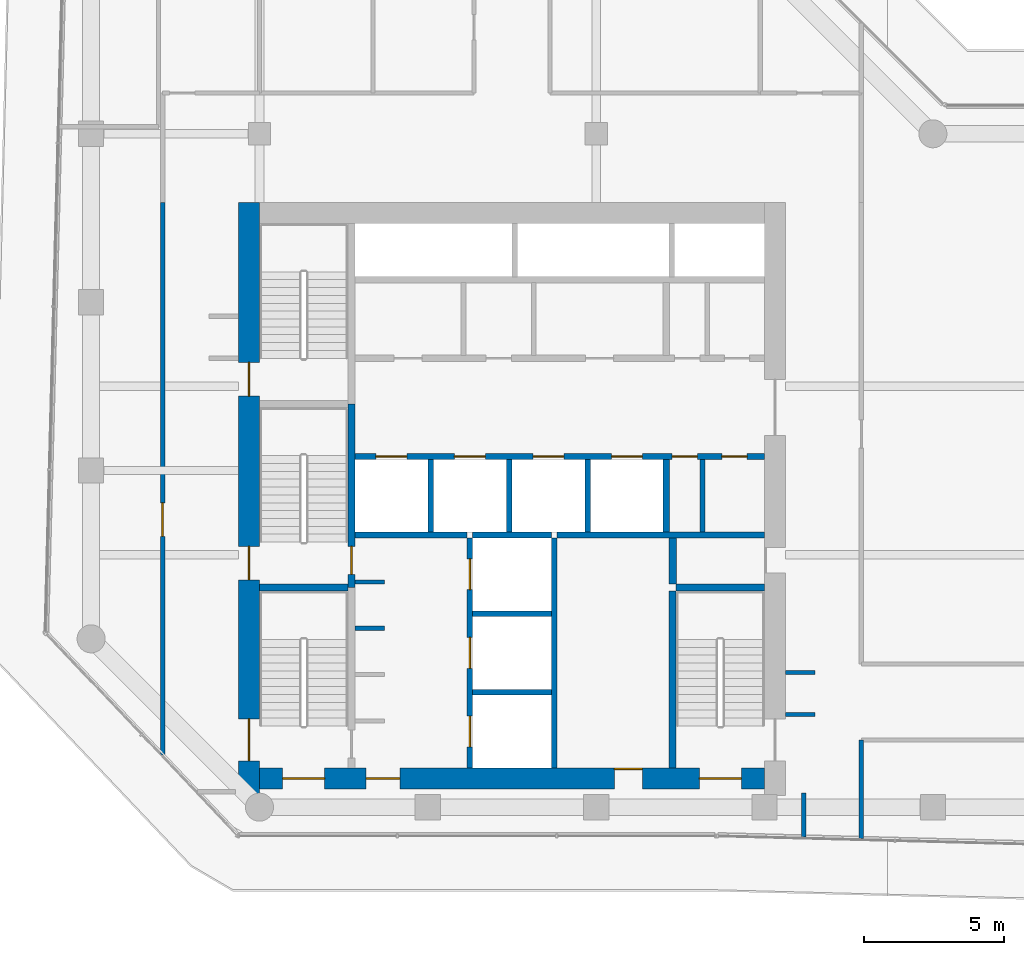
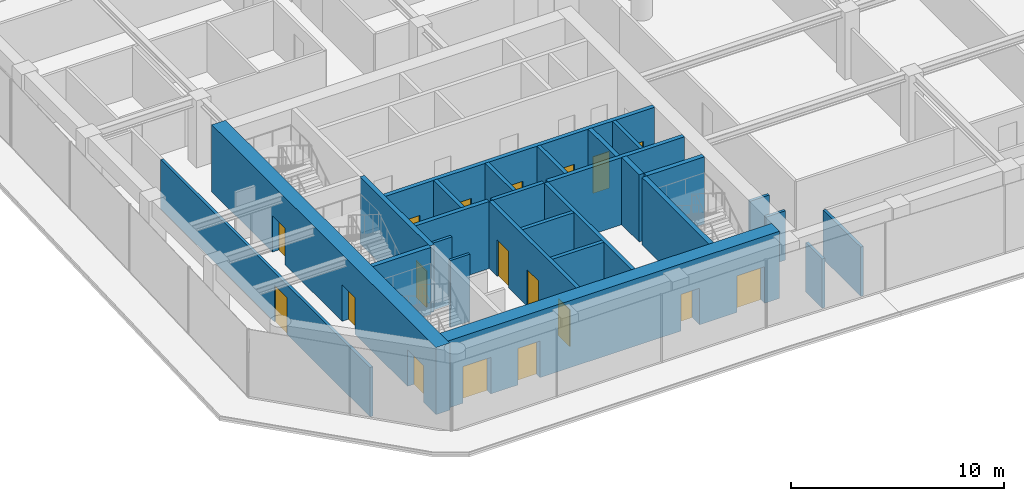
# One storey, part 18 of 23: 27 walls, 18 doors, 18 openings.
"""IFC4 building model written with IfcOpenShell, lengths in metres."""

from ifc_helpers import new_model, si_unit, direction, frame, frame_2d, origin, place, context, subcontext, project, spatial, rectangle, extrude, material, layer, layer_set, type_object, element, fill, save


model = new_model("IFC4")

# Units and contexts
model_context = context("Model", 3, precision=1e-05, world=origin(), true_north=direction((0.0, 1.0)))
body_context = subcontext(model_context, "Body", "Model", "MODEL_VIEW")
ifc_project = project(units=[si_unit("LENGTHUNIT", "METRE"), si_unit("AREAUNIT", "SQUARE_METRE"), si_unit("VOLUMEUNIT", "CUBIC_METRE"), si_unit("PLANEANGLEUNIT", "RADIAN"), si_unit("MASSUNIT", "GRAM", prefix="KILO")], contexts=[model_context])

# Site, building, storey
site_placement = place(None, origin())
site = spatial("IfcSite", under=ifc_project, at=site_placement, CompositionType="ELEMENT")
building_placement = place(site_placement, origin())
building = spatial("IfcBuilding", under=site, at=building_placement, Name="Welwitschia Terrace Campus", CompositionType="ELEMENT")
storey_placement = place(building_placement, frame((0.0, 0.0, 117.199951171875)))
storey = spatial("IfcBuildingStorey", under=building, at=storey_placement, Name="L26", CompositionType="ELEMENT", Elevation=117.199951171875)

# Walls
ifc_material_1 = material(Name="Concrete C32/40", Category="concrete")
ifc_layer_1 = layer(ifc_material_1, 0.175048828125)
ifc_layer_set_1 = layer_set([ifc_layer_1], Name="Concrete C32/40")
wall_type_1 = type_object("IfcWallType", Name="Core partition 175 Concrete C32/40", PredefinedType="PARTITIONING", material=ifc_layer_set_1)
wall_1_placement = place(storey_placement, frame((21.7900390625, 13.800048828125, 0.0), z_axis=(0.0, 0.0, 1.0), x_axis=(0.0, 1.0, 0.0)))
element("IfcWall", 1, at=wall_1_placement, inside=storey, type_object=wall_type_1, Name="Core partition", PredefinedType="PARTITIONING", context=body_context, shape_type="SweptSolid", body=[
    extrude(rectangle(XDim=2.599853515625, YDim=0.175048828125, at=frame_2d((1.2998046875, 0.0))), origin(), (0.0, 0.0, 1.0), 3.85009765625),
])
ifc_material_2 = material(Name="Concrete C32/40", Category="concrete")
ifc_layer_2 = layer(ifc_material_2, 0.22509765625)
ifc_layer_set_2 = layer_set([ifc_layer_2], Name="Concrete C32/40")
wall_type_2 = type_object("IfcWallType", Name="Core partition 225 Concrete C32/40", PredefinedType="PARTITIONING", material=ifc_layer_set_2)
wall_2_placement = place(storey_placement, frame((9.39990234375, 13.699951171875, 0.0), z_axis=(0.0, 0.0, 1.0), x_axis=(1.0, 0.0, 0.0)))
element("IfcWall", 2, at=wall_2_placement, inside=storey, type_object=wall_type_2, Name="Shaft wall", PredefinedType="PARTITIONING", context=body_context, shape_type="SweptSolid", body=[
    extrude(rectangle(XDim=4.0, YDim=0.22509765625, at=frame_2d((2.0, 0.0))), origin(), (0.0, 0.0, 1.0), 3.85009765625),
])
wall_3_placement = place(storey_placement, frame((16.60009765625, 13.699951171875, 0.0), z_axis=(0.0, 0.0, 1.0), x_axis=(1.0, 0.0, 0.0)))
element("IfcWall", 3, at=wall_3_placement, inside=storey, type_object=wall_type_2, Name="Shaft wall", PredefinedType="PARTITIONING", context=body_context, shape_type="SweptSolid", body=[
    extrude(rectangle(XDim=7.39990234375, YDim=0.22509765625, at=frame_2d((3.699951171875, 0.0))), origin(), (0.0, 0.0, 1.0), 3.85009765625),
])

# Wall, openings, doors
wall_4_placement = place(storey_placement, frame((9.39990234375, 16.5, 0.0), z_axis=(0.0, 0.0, 1.0), x_axis=(1.0, 0.0, 0.0)))
wall_4 = element("IfcWall", 4, at=wall_4_placement, inside=storey, type_object=wall_type_2, Name="Shaft wall", PredefinedType="PARTITIONING", context=body_context, shape_type="SweptSolid", body=[
    extrude(rectangle(XDim=14.60009765625, YDim=0.22509765625, at=frame_2d((7.300048828125, 0.0))), origin(), (0.0, 0.0, 1.0), 3.85009765625),
])
opening_1_placement = place(wall_4_placement, frame((0.75, 0.0, 0.0)))
opening_1 = element("IfcOpeningElement", 5, at=opening_1_placement, cuts=wall_4, Name="Opening LD", PredefinedType="OPENING", context=body_context, shape_type="SweptSolid", body=[
    extrude(rectangle(XDim=1.10009765625, YDim=2.10009765625, at=frame_2d((0.550048828125, 1.050048828125))), frame((0.0, 0.12255859375, 0.0), z_axis=(0.0, -1.0, 0.0), x_axis=(1.0, 0.0, 0.0)), (0.0, 0.0, 1.0), 0.2451171875),
])
opening_2_placement = place(wall_4_placement, frame((3.550048828125, 0.0, 0.0)))
opening_2 = element("IfcOpeningElement", 6, at=opening_2_placement, cuts=wall_4, Name="Opening LD", PredefinedType="OPENING", context=body_context, shape_type="SweptSolid", body=[
    extrude(rectangle(XDim=1.10009765625, YDim=2.10009765625, at=frame_2d((0.550048828125, 1.050048828125))), frame((0.0, 0.12255859375, 0.0), z_axis=(0.0, -1.0, 0.0), x_axis=(1.0, 0.0, 0.0)), (0.0, 0.0, 1.0), 0.2451171875),
])
opening_3_placement = place(wall_4_placement, frame((6.35009765625, 0.0, 0.0)))
opening_3 = element("IfcOpeningElement", 7, at=opening_3_placement, cuts=wall_4, Name="Opening LD", PredefinedType="OPENING", context=body_context, shape_type="SweptSolid", body=[
    extrude(rectangle(XDim=1.10009765625, YDim=2.10009765625, at=frame_2d((0.550048828125, 1.050048828125))), frame((0.0, 0.12255859375, 0.0), z_axis=(0.0, -1.0, 0.0), x_axis=(1.0, 0.0, 0.0)), (0.0, 0.0, 1.0), 0.2451171875),
])
opening_4_placement = place(wall_4_placement, frame((9.14990234375, 0.0, 0.0)))
opening_4 = element("IfcOpeningElement", 8, at=opening_4_placement, cuts=wall_4, Name="Opening LD", PredefinedType="OPENING", context=body_context, shape_type="SweptSolid", body=[
    extrude(rectangle(XDim=1.10009765625, YDim=2.10009765625, at=frame_2d((0.550048828125, 1.050048828125))), frame((0.0, 0.12255859375, 0.0), z_axis=(0.0, -1.0, 0.0), x_axis=(1.0, 0.0, 0.0)), (0.0, 0.0, 1.0), 0.2451171875),
])
opening_5_placement = place(wall_4_placement, frame((11.3076171875, 0.0, 0.0)))
opening_5 = element("IfcOpeningElement", 9, at=opening_5_placement, cuts=wall_4, Name="Opening DR09", PredefinedType="OPENING", context=body_context, shape_type="SweptSolid", body=[
    extrude(rectangle(XDim=0.89990234375, YDim=2.10009765625, at=frame_2d((0.449951171875, 1.050048828125))), frame((0.0, 0.12255859375, 0.0), z_axis=(0.0, -1.0, 0.0), x_axis=(1.0, 0.0, 0.0)), (0.0, 0.0, 1.0), 0.2451171875),
])
opening_6_placement = place(wall_4_placement, frame((13.08251953125, 0.0, 0.0)))
opening_6 = element("IfcOpeningElement", 10, at=opening_6_placement, cuts=wall_4, Name="Opening DR09", PredefinedType="OPENING", context=body_context, shape_type="SweptSolid", body=[
    extrude(rectangle(XDim=0.89990234375, YDim=2.10009765625, at=frame_2d((0.449951171875, 1.050048828125))), frame((0.0, 0.12255859375, 0.0), z_axis=(0.0, -1.0, 0.0), x_axis=(1.0, 0.0, 0.0)), (0.0, 0.0, 1.0), 0.2451171875),
])
ifc_material_3 = material(Name="Steel S275", Category="steel")
door_type_1 = type_object("IfcDoorType", Name="Core door DR09", OperationType="SINGLE_SWING_LEFT", PredefinedType="DOOR", material=ifc_material_3)
door_1_placement = place(opening_5_placement, origin())
door_1 = element("IfcDoor", 11, at=door_1_placement, inside=storey, type_object=door_type_1, Name="Door EL1-D", OperationType="SINGLE_SWING_RIGHT", OverallHeight=2.10009765625, OverallWidth=0.89990234375, PredefinedType="DOOR", context=body_context, shape_type="SweptSolid", body=[
    extrude(rectangle(XDim=0.89990234375, YDim=2.10009765625, at=frame_2d((0.449951171875, 1.050048828125))), frame((0.0, 0.02490234375, 0.0), z_axis=(0.0, -1.0, 0.0), x_axis=(1.0, 0.0, 0.0)), (0.0, 0.0, 1.0), 0.050048828125),
])
fill(opening_5, door_1)
door_2_placement = place(opening_6_placement, origin())
door_2 = element("IfcDoor", 12, at=door_2_placement, inside=storey, type_object=door_type_1, Name="Door EL2-D", OperationType="SINGLE_SWING_RIGHT", OverallHeight=2.10009765625, OverallWidth=0.89990234375, PredefinedType="DOOR", context=body_context, shape_type="SweptSolid", body=[
    extrude(rectangle(XDim=0.89990234375, YDim=2.10009765625, at=frame_2d((0.449951171875, 1.050048828125))), frame((0.0, 0.02490234375, 0.0), z_axis=(0.0, -1.0, 0.0), x_axis=(1.0, 0.0, 0.0)), (0.0, 0.0, 1.0), 0.050048828125),
])
fill(opening_6, door_2)
ifc_material_4 = material(Name="Stainless steel 304", Category="steel")
door_type_2 = type_object("IfcDoorType", Name="Lift landing door", OperationType="DOUBLE_DOOR_SLIDING", PredefinedType="DOOR", material=ifc_material_4)
door_3_placement = place(opening_1_placement, origin())
door_3 = element("IfcDoor", 13, at=door_3_placement, inside=storey, type_object=door_type_2, Name="Landing door LR1", OperationType="DOUBLE_DOOR_SLIDING", OverallHeight=2.10009765625, OverallWidth=1.10009765625, PredefinedType="DOOR", context=body_context, shape_type="SweptSolid", body=[
    extrude(rectangle(XDim=1.10009765625, YDim=2.10009765625, at=frame_2d((0.550048828125, 1.050048828125))), frame((0.0, 0.02490234375, 0.0), z_axis=(0.0, -1.0, 0.0), x_axis=(1.0, 0.0, 0.0)), (0.0, 0.0, 1.0), 0.050048828125),
])
fill(opening_1, door_3)
door_4_placement = place(opening_2_placement, origin())
door_4 = element("IfcDoor", 14, at=door_4_placement, inside=storey, type_object=door_type_2, Name="Landing door LR2", OperationType="DOUBLE_DOOR_SLIDING", OverallHeight=2.10009765625, OverallWidth=1.10009765625, PredefinedType="DOOR", context=body_context, shape_type="SweptSolid", body=[
    extrude(rectangle(XDim=1.10009765625, YDim=2.10009765625, at=frame_2d((0.550048828125, 1.050048828125))), frame((0.0, 0.02490234375, 0.0), z_axis=(0.0, -1.0, 0.0), x_axis=(1.0, 0.0, 0.0)), (0.0, 0.0, 1.0), 0.050048828125),
])
fill(opening_2, door_4)
door_5_placement = place(opening_3_placement, origin())
door_5 = element("IfcDoor", 15, at=door_5_placement, inside=storey, type_object=door_type_2, Name="Landing door LR3", OperationType="DOUBLE_DOOR_SLIDING", OverallHeight=2.10009765625, OverallWidth=1.10009765625, PredefinedType="DOOR", context=body_context, shape_type="SweptSolid", body=[
    extrude(rectangle(XDim=1.10009765625, YDim=2.10009765625, at=frame_2d((0.550048828125, 1.050048828125))), frame((0.0, 0.02490234375, 0.0), z_axis=(0.0, -1.0, 0.0), x_axis=(1.0, 0.0, 0.0)), (0.0, 0.0, 1.0), 0.050048828125),
])
fill(opening_3, door_5)
door_6_placement = place(opening_4_placement, origin())
door_6 = element("IfcDoor", 16, at=door_6_placement, inside=storey, type_object=door_type_2, Name="Landing door LR4", OperationType="DOUBLE_DOOR_SLIDING", OverallHeight=2.10009765625, OverallWidth=1.10009765625, PredefinedType="DOOR", context=body_context, shape_type="SweptSolid", body=[
    extrude(rectangle(XDim=1.10009765625, YDim=2.10009765625, at=frame_2d((0.550048828125, 1.050048828125))), frame((0.0, 0.02490234375, 0.0), z_axis=(0.0, -1.0, 0.0), x_axis=(1.0, 0.0, 0.0)), (0.0, 0.0, 1.0), 0.050048828125),
])
fill(opening_4, door_6)

# Walls
wall_5_placement = place(storey_placement, frame((20.5, 13.800048828125, 0.0), z_axis=(0.0, 0.0, 1.0), x_axis=(0.0, 1.0, 0.0)))
element("IfcWall", 17, at=wall_5_placement, inside=storey, type_object=wall_type_2, Name="Shaft wall", PredefinedType="PARTITIONING", context=body_context, shape_type="SweptSolid", body=[
    extrude(rectangle(XDim=2.599853515625, YDim=0.22509765625, at=frame_2d((1.2998046875, 0.0))), origin(), (0.0, 0.0, 1.0), 3.85009765625),
])
ifc_material_5 = material(Name="Concrete C32/40", Category="concrete")
ifc_layer_3 = layer(ifc_material_5, 0.27490234375)
ifc_layer_set_3 = layer_set([ifc_layer_3], Name="Concrete C32/40")
wall_type_3 = type_object("IfcWallType", Name="Core partition 275 Concrete C32/40", PredefinedType="PARTITIONING", material=ifc_layer_set_3)
wall_6_placement = place(storey_placement, frame((20.72509765625, 11.949951171875, 0.0), z_axis=(0.0, 0.0, 1.0), x_axis=(0.0, 1.0, 0.0)))
element("IfcWall", 18, at=wall_6_placement, inside=storey, type_object=wall_type_3, Name="Core partition", PredefinedType="PARTITIONING", context=body_context, shape_type="SweptSolid", body=[
    extrude(rectangle(XDim=1.650146484375, YDim=0.27490234375, at=frame_2d((0.8251953125, 0.0))), origin(), (0.0, 0.0, 1.0), 3.85009765625),
])
ifc_material_6 = material(Name="Concrete C50/60", Category="concrete")
ifc_layer_4 = layer(ifc_material_6, 0.14990234375)
ifc_layer_set_4 = layer_set([ifc_layer_4], Name="Concrete C50/60")
wall_type_4 = type_object("IfcWallType", Name="Core wall 150 Concrete C50/60", PredefinedType="SHEAR", material=ifc_layer_set_4)
for number, where, z_axis, x_axis, name in (
    (19, (9.39990234375, 10.375, 0.0), (0.0, 0.0, 1.0), (1.0, 0.0, 0.0), "Core wall"),
    (20, (9.39990234375, 12.02490234375, 0.0), (0.0, 0.0, 1.0), (1.0, 0.0, 0.0), "Core wall"),
):
    element("IfcWall", number, at=place(storey_placement, frame(where, z_axis=z_axis, x_axis=x_axis)), inside=storey, type_object=wall_type_4, Name=name, PredefinedType="SHEAR", context=body_context, shape_type="SweptSolid", body=[
        extrude(rectangle(XDim=1.050048828125, YDim=0.14990234375, at=frame_2d((0.52490234375, 0.0))), origin(), (0.0, 0.0, 1.0), 3.85009765625),
    ])
ifc_material_7 = material(Name="Concrete C50/60", Category="concrete")
ifc_layer_5 = layer(ifc_material_7, 0.199951171875)
ifc_layer_set_5 = layer_set([ifc_layer_5], Name="Concrete C50/60")
wall_type_5 = type_object("IfcWallType", Name="Core wall 200 Concrete C50/60", PredefinedType="SHEAR", material=ifc_layer_set_5)
for number, where, z_axis, x_axis, name in (
    (21, (13.60009765625, 8.10009765625, 0.0), (0.0, 0.0, 1.0), (1.0, 0.0, 0.0), "Core wall"),
    (22, (13.60009765625, 10.89990234375, 0.0), (0.0, 0.0, 1.0), (1.0, 0.0, 0.0), "Core wall"),
    (23, (13.60009765625, 13.699951171875, 0.0), (0.0, 0.0, 1.0), (1.0, 0.0, 0.0), "Core wall"),
):
    element("IfcWall", number, at=place(storey_placement, frame(where, z_axis=z_axis, x_axis=x_axis)), inside=storey, type_object=wall_type_5, Name=name, PredefinedType="SHEAR", context=body_context, shape_type="SweptSolid", body=[
        extrude(rectangle(XDim=2.7998046875, YDim=0.199951171875, at=frame_2d((1.39990234375, 0.0))), origin(), (0.0, 0.0, 1.0), 3.85009765625),
    ])

# Wall, openings, doors
wall_7_placement = place(storey_placement, frame((13.5, 5.39990234375, 0.0), z_axis=(0.0, 0.0, 1.0), x_axis=(0.0, 1.0, 0.0)))
wall_7 = element("IfcWall", 24, at=wall_7_placement, inside=storey, type_object=wall_type_5, Name="Core wall", PredefinedType="SHEAR", context=body_context, shape_type="SweptSolid", body=[
    extrude(rectangle(XDim=8.2001953125, YDim=0.199951171875, at=frame_2d((4.10009765625, 0.0))), origin(), (0.0, 0.0, 1.0), 3.85009765625),
])
opening_7_placement = place(wall_7_placement, frame((0.75, 0.0, 0.0)))
opening_7 = element("IfcOpeningElement", 25, at=opening_7_placement, cuts=wall_7, Name="Opening LD", PredefinedType="OPENING", context=body_context, shape_type="SweptSolid", body=[
    extrude(rectangle(XDim=1.10009765625, YDim=2.10009765625, at=frame_2d((0.550048828125, 1.050048828125))), frame((0.0, 0.10986328125, 0.0), z_axis=(0.0, -1.0, 0.0), x_axis=(1.0, 0.0, 0.0)), (0.0, 0.0, 1.0), 0.219970703125),
])
opening_8_placement = place(wall_7_placement, frame((3.550048828125, 0.0, 0.0)))
opening_8 = element("IfcOpeningElement", 26, at=opening_8_placement, cuts=wall_7, Name="Opening LD", PredefinedType="OPENING", context=body_context, shape_type="SweptSolid", body=[
    extrude(rectangle(XDim=1.10009765625, YDim=2.10009765625, at=frame_2d((0.550048828125, 1.050048828125))), frame((0.0, 0.10986328125, 0.0), z_axis=(0.0, -1.0, 0.0), x_axis=(1.0, 0.0, 0.0)), (0.0, 0.0, 1.0), 0.219970703125),
])
opening_9_placement = place(wall_7_placement, frame((6.35009765625, 0.0, 0.0)))
opening_9 = element("IfcOpeningElement", 27, at=opening_9_placement, cuts=wall_7, Name="Opening LD", PredefinedType="OPENING", context=body_context, shape_type="SweptSolid", body=[
    extrude(rectangle(XDim=1.10009765625, YDim=2.10009765625, at=frame_2d((0.550048828125, 1.050048828125))), frame((0.0, 0.10986328125, 0.0), z_axis=(0.0, -1.0, 0.0), x_axis=(1.0, 0.0, 0.0)), (0.0, 0.0, 1.0), 0.219970703125),
])
door_7_placement = place(opening_7_placement, origin())
door_7 = element("IfcDoor", 28, at=door_7_placement, inside=storey, type_object=door_type_2, Name="Landing door FF1", OperationType="DOUBLE_DOOR_SLIDING", OverallHeight=2.10009765625, OverallWidth=1.10009765625, PredefinedType="DOOR", context=body_context, shape_type="SweptSolid", body=[
    extrude(rectangle(XDim=1.10009765625, YDim=2.10009765625, at=frame_2d((0.550048828125, 1.050048828125))), frame((0.0, 0.02490234375, 0.0), z_axis=(0.0, -1.0, 0.0), x_axis=(1.0, 0.0, 0.0)), (0.0, 0.0, 1.0), 0.050048828125),
])
fill(opening_7, door_7)
door_8_placement = place(opening_8_placement, origin())
door_8 = element("IfcDoor", 29, at=door_8_placement, inside=storey, type_object=door_type_2, Name="Landing door FF2", OperationType="DOUBLE_DOOR_SLIDING", OverallHeight=2.10009765625, OverallWidth=1.10009765625, PredefinedType="DOOR", context=body_context, shape_type="SweptSolid", body=[
    extrude(rectangle(XDim=1.10009765625, YDim=2.10009765625, at=frame_2d((0.550048828125, 1.050048828125))), frame((0.0, 0.02490234375, 0.0), z_axis=(0.0, -1.0, 0.0), x_axis=(1.0, 0.0, 0.0)), (0.0, 0.0, 1.0), 0.050048828125),
])
fill(opening_8, door_8)
door_9_placement = place(opening_9_placement, origin())
door_9 = element("IfcDoor", 30, at=door_9_placement, inside=storey, type_object=door_type_2, Name="Landing door SV1", OperationType="DOUBLE_DOOR_SLIDING", OverallHeight=2.10009765625, OverallWidth=1.10009765625, PredefinedType="DOOR", context=body_context, shape_type="SweptSolid", body=[
    extrude(rectangle(XDim=1.10009765625, YDim=2.10009765625, at=frame_2d((0.550048828125, 1.050048828125))), frame((0.0, 0.02490234375, 0.0), z_axis=(0.0, -1.0, 0.0), x_axis=(1.0, 0.0, 0.0)), (0.0, 0.0, 1.0), 0.050048828125),
])
fill(opening_9, door_9)

# Walls
wall_8_placement = place(storey_placement, frame((16.5, 5.39990234375, 0.0), z_axis=(0.0, 0.0, 1.0), x_axis=(0.0, 1.0, 0.0)))
element("IfcWall", 31, at=wall_8_placement, inside=storey, type_object=wall_type_5, Name="Core wall", PredefinedType="SHEAR", context=body_context, shape_type="SweptSolid", body=[
    extrude(rectangle(XDim=8.2001953125, YDim=0.199951171875, at=frame_2d((4.10009765625, 0.0))), origin(), (0.0, 0.0, 1.0), 3.85009765625),
])
ifc_material_8 = material(Name="Concrete C50/60", Category="concrete")
ifc_layer_6 = layer(ifc_material_8, 0.25)
ifc_layer_set_6 = layer_set([ifc_layer_6], Name="Concrete C50/60")
wall_type_6 = type_object("IfcWallType", Name="Core wall 250 Concrete C50/60", PredefinedType="SHEAR", material=ifc_layer_set_6)
for number, where, z_axis, x_axis, name in (
    (32, (6.0, 11.824951171875, 0.0), (0.0, 0.0, 1.0), (1.0, 0.0, 0.0), "Core wall"),
    (33, (20.85009765625, 11.824951171875, 0.0), (0.0, 0.0, 1.0), (1.0, 0.0, 0.0), "Core wall"),
):
    element("IfcWall", number, at=place(storey_placement, frame(where, z_axis=z_axis, x_axis=x_axis)), inside=storey, type_object=wall_type_6, Name=name, PredefinedType="SHEAR", context=body_context, shape_type="SweptSolid", body=[
        extrude(rectangle(XDim=3.14990234375, YDim=0.25, at=frame_2d((1.574951171875, 0.0))), origin(), (0.0, 0.0, 1.0), 3.85009765625),
    ])

# Wall, opening, door
wall_9_placement = place(storey_placement, frame((9.27490234375, 18.375, 0.0), z_axis=(0.0, 0.0, 1.0), x_axis=(0.0, -1.0, 0.0)))
wall_9 = element("IfcWall", 34, at=wall_9_placement, inside=storey, type_object=wall_type_6, Name="Core wall", PredefinedType="SHEAR", context=body_context, shape_type="SweptSolid", body=[
    extrude(rectangle(XDim=6.550048828125, YDim=0.25, at=frame_2d((3.27490234375, 0.0))), origin(), (0.0, 0.0, 1.0), 3.85009765625),
])
opening_10_placement = place(wall_9_placement, frame((5.074951171875, 0.0, 0.0)))
opening_10 = element("IfcOpeningElement", 35, at=opening_10_placement, cuts=wall_9, Name="Opening DS10", PredefinedType="OPENING", context=body_context, shape_type="SweptSolid", body=[
    extrude(rectangle(XDim=1.0, YDim=2.10009765625, at=frame_2d((0.5, 1.050048828125))), frame((0.0, 0.135009765625, 0.0), z_axis=(0.0, -1.0, 0.0), x_axis=(1.0, 0.0, 0.0)), (0.0, 0.0, 1.0), 0.27001953125),
])
ifc_material_9 = material(Name="Steel S275", Category="steel")
door_type_3 = type_object("IfcDoorType", Name="Core door DS10", OperationType="SINGLE_SWING_LEFT", PredefinedType="DOOR", material=ifc_material_9)
door_10_placement = place(opening_10_placement, origin())
door_10 = element("IfcDoor", 36, at=door_10_placement, inside=storey, type_object=door_type_3, Name="Door S3-FL", OperationType="SINGLE_SWING_RIGHT", OverallHeight=2.10009765625, OverallWidth=1.0, PredefinedType="DOOR", context=body_context, shape_type="SweptSolid", body=[
    extrude(rectangle(XDim=1.0, YDim=2.10009765625, at=frame_2d((0.5, 1.050048828125))), frame((0.0, 0.02490234375, 0.0), z_axis=(0.0, -1.0, 0.0), x_axis=(1.0, 0.0, 0.0)), (0.0, 0.0, 1.0), 0.050048828125),
])
fill(opening_10, door_10)

# Wall
wall_10_placement = place(storey_placement, frame((20.72509765625, 5.39990234375, 0.0), z_axis=(0.0, 0.0, 1.0), x_axis=(0.0, 1.0, 0.0)))
element("IfcWall", 37, at=wall_10_placement, inside=storey, type_object=wall_type_6, Name="Core wall", PredefinedType="SHEAR", context=body_context, shape_type="SweptSolid", body=[
    extrude(rectangle(XDim=6.300048828125, YDim=0.25, at=frame_2d((3.14990234375, 0.0))), origin(), (0.0, 0.0, 1.0), 3.85009765625),
])

# Wall, openings, doors
ifc_material_10 = material(Name="Concrete C70/85", Category="concrete")
ifc_layer_7 = layer(ifc_material_10, 0.75)
ifc_layer_set_7 = layer_set([ifc_layer_7], Name="Concrete C70/85")
wall_type_7 = type_object("IfcWallType", Name="Core wall 750 Concrete C70/85", PredefinedType="SHEAR", material=ifc_layer_set_7)
wall_11_placement = place(storey_placement, frame((5.625, 4.469970703125, 0.0), z_axis=(0.0, 0.0, 1.0), x_axis=(0.0, 1.0, 0.0)))
wall_11 = element("IfcWall", 38, at=wall_11_placement, inside=storey, type_object=wall_type_7, Name="Core outer wall", PredefinedType="SHEAR", context=body_context, shape_type="SweptSolid", body=[
    extrude(rectangle(XDim=21.080078125, YDim=0.75, at=frame_2d((10.5400390625, 0.0))), origin(), (0.0, 0.0, 1.0), 3.85009765625),
])
opening_11_placement = place(wall_11_placement, frame((1.179931640625, 0.0, 0.0)))
opening_11 = element("IfcOpeningElement", 39, at=opening_11_placement, cuts=wall_11, Name="Opening DS15", PredefinedType="OPENING", context=body_context, shape_type="SweptSolid", body=[
    extrude(rectangle(XDim=1.5, YDim=2.10009765625, at=frame_2d((0.75, 1.050048828125))), frame((0.0, 0.385009765625, 0.0), z_axis=(0.0, -1.0, 0.0), x_axis=(1.0, 0.0, 0.0)), (0.0, 0.0, 1.0), 0.77001953125),
])
opening_12_placement = place(wall_11_placement, frame((7.6298828125, 0.0, 0.0)))
opening_12 = element("IfcOpeningElement", 40, at=opening_12_placement, cuts=wall_11, Name="Opening DS12", PredefinedType="OPENING", context=body_context, shape_type="SweptSolid", body=[
    extrude(rectangle(XDim=1.199951171875, YDim=2.10009765625, at=frame_2d((0.60009765625, 1.050048828125))), frame((0.0, 0.385009765625, 0.0), z_axis=(0.0, -1.0, 0.0), x_axis=(1.0, 0.0, 0.0)), (0.0, 0.0, 1.0), 0.77001953125),
])
opening_13_placement = place(wall_11_placement, frame((14.179931640625, 0.0, 0.0)))
opening_13 = element("IfcOpeningElement", 41, at=opening_13_placement, cuts=wall_11, Name="Opening DS12", PredefinedType="OPENING", context=body_context, shape_type="SweptSolid", body=[
    extrude(rectangle(XDim=1.199951171875, YDim=2.10009765625, at=frame_2d((0.60009765625, 1.050048828125))), frame((0.0, 0.385009765625, 0.0), z_axis=(0.0, -1.0, 0.0), x_axis=(1.0, 0.0, 0.0)), (0.0, 0.0, 1.0), 0.77001953125),
])
ifc_material_11 = material(Name="Steel S275", Category="steel")
door_type_4 = type_object("IfcDoorType", Name="Core door DS12", OperationType="SINGLE_SWING_LEFT", PredefinedType="DOOR", material=ifc_material_11)
door_11_placement = place(opening_12_placement, origin())
door_11 = element("IfcDoor", 42, at=door_11_placement, inside=storey, type_object=door_type_4, Name="Door S3-out", OperationType="SINGLE_SWING_LEFT", OverallHeight=2.10009765625, OverallWidth=1.199951171875, PredefinedType="DOOR", context=body_context, shape_type="SweptSolid", body=[
    extrude(rectangle(XDim=1.199951171875, YDim=2.10009765625, at=frame_2d((0.60009765625, 1.050048828125))), frame((0.0, 0.02490234375, 0.0), z_axis=(0.0, -1.0, 0.0), x_axis=(1.0, 0.0, 0.0)), (0.0, 0.0, 1.0), 0.050048828125),
])
fill(opening_12, door_11)
door_12_placement = place(opening_13_placement, origin())
door_12 = element("IfcDoor", 43, at=door_12_placement, inside=storey, type_object=door_type_4, Name="Door S4-out", OperationType="SINGLE_SWING_RIGHT", OverallHeight=2.10009765625, OverallWidth=1.199951171875, PredefinedType="DOOR", context=body_context, shape_type="SweptSolid", body=[
    extrude(rectangle(XDim=1.199951171875, YDim=2.10009765625, at=frame_2d((0.60009765625, 1.050048828125))), frame((0.0, 0.02490234375, 0.0), z_axis=(0.0, -1.0, 0.0), x_axis=(1.0, 0.0, 0.0)), (0.0, 0.0, 1.0), 0.050048828125),
])
fill(opening_13, door_12)
ifc_material_12 = material(Name="Steel S275", Category="steel")
door_type_5 = type_object("IfcDoorType", Name="Core door DS15", OperationType="DOUBLE_DOOR_SINGLE_SWING", PredefinedType="DOOR", material=ifc_material_12)
door_13_placement = place(opening_11_placement, origin())
door_13 = element("IfcDoor", 44, at=door_13_placement, inside=storey, type_object=door_type_5, Name="Door S1-out", OperationType="DOUBLE_DOOR_SINGLE_SWING", OverallHeight=2.10009765625, OverallWidth=1.5, PredefinedType="DOOR", context=body_context, shape_type="SweptSolid", body=[
    extrude(rectangle(XDim=1.5, YDim=2.10009765625, at=frame_2d((0.75, 1.050048828125))), frame((0.0, 0.02490234375, 0.0), z_axis=(0.0, -1.0, 0.0), x_axis=(1.0, 0.0, 0.0)), (0.0, 0.0, 1.0), 0.050048828125),
])
fill(opening_11, door_13)

wall_12_placement = place(storey_placement, frame((24.0, 5.02490234375, 0.0), z_axis=(0.0, 0.0, 1.0), x_axis=(-1.0, 0.0, 0.0)))
wall_12 = element("IfcWall", 45, at=wall_12_placement, inside=storey, type_object=wall_type_7, Name="Core outer wall", PredefinedType="SHEAR", context=body_context, shape_type="SweptSolid", body=[
    extrude(rectangle(XDim=18.0, YDim=0.75, at=frame_2d((9.0, 0.0))), origin(), (0.0, 0.0, 1.0), 3.85009765625),
])
opening_14_placement = place(wall_12_placement, frame((0.824951171875, 0.0, 0.0)))
opening_14 = element("IfcOpeningElement", 46, at=opening_14_placement, cuts=wall_12, Name="Opening DS15", PredefinedType="OPENING", context=body_context, shape_type="SweptSolid", body=[
    extrude(rectangle(XDim=1.5, YDim=2.10009765625, at=frame_2d((0.75, 1.050048828125))), frame((0.0, 0.385009765625, 0.0), z_axis=(0.0, -1.0, 0.0), x_axis=(1.0, 0.0, 0.0)), (0.0, 0.0, 1.0), 0.77001953125),
])
opening_15_placement = place(wall_12_placement, frame((15.675048828125, 0.0, 0.0)))
opening_15 = element("IfcOpeningElement", 47, at=opening_15_placement, cuts=wall_12, Name="Opening DS15", PredefinedType="OPENING", context=body_context, shape_type="SweptSolid", body=[
    extrude(rectangle(XDim=1.5, YDim=2.10009765625, at=frame_2d((0.75, 1.050048828125))), frame((0.0, 0.385009765625, 0.0), z_axis=(0.0, -1.0, 0.0), x_axis=(1.0, 0.0, 0.0)), (0.0, 0.0, 1.0), 0.77001953125),
])
opening_16_placement = place(wall_12_placement, frame((13.0, 0.0, 0.0)))
opening_16 = element("IfcOpeningElement", 48, at=opening_16_placement, cuts=wall_12, Name="Opening DF12", PredefinedType="OPENING", context=body_context, shape_type="SweptSolid", body=[
    extrude(rectangle(XDim=1.199951171875, YDim=2.10009765625, at=frame_2d((0.60009765625, 1.050048828125))), frame((0.0, 0.385009765625, 0.0), z_axis=(0.0, -1.0, 0.0), x_axis=(1.0, 0.0, 0.0)), (0.0, 0.0, 1.0), 0.77001953125),
])
opening_17_placement = place(wall_12_placement, frame((4.35009765625, 0.0, 0.0)))
opening_17 = element("IfcOpeningElement", 49, at=opening_17_placement, cuts=wall_12, Name="Opening DR10", PredefinedType="OPENING", context=body_context, shape_type="SweptSolid", body=[
    extrude(rectangle(XDim=1.0, YDim=2.10009765625, at=frame_2d((0.5, 1.050048828125))), frame((0.0, 0.385009765625, 0.0), z_axis=(0.0, -1.0, 0.0), x_axis=(1.0, 0.0, 0.0)), (0.0, 0.0, 1.0), 0.77001953125),
])
ifc_material_13 = material(Name="Steel S275", Category="steel")
door_type_6 = type_object("IfcDoorType", Name="Core door DF12", OperationType="SINGLE_SWING_LEFT", PredefinedType="DOOR", material=ifc_material_13)
door_14_placement = place(opening_16_placement, origin())
door_14 = element("IfcDoor", 50, at=door_14_placement, inside=storey, type_object=door_type_6, Name="Door FL-out", OperationType="SINGLE_SWING_RIGHT", OverallHeight=2.10009765625, OverallWidth=1.199951171875, PredefinedType="DOOR", context=body_context, shape_type="SweptSolid", body=[
    extrude(rectangle(XDim=1.199951171875, YDim=2.10009765625, at=frame_2d((0.60009765625, 1.050048828125))), frame((0.0, 0.02490234375, 0.0), z_axis=(0.0, -1.0, 0.0), x_axis=(1.0, 0.0, 0.0)), (0.0, 0.0, 1.0), 0.050048828125),
])
fill(opening_16, door_14)
ifc_material_14 = material(Name="Steel S275", Category="steel")
door_type_7 = type_object("IfcDoorType", Name="Core door DR10", OperationType="SINGLE_SWING_LEFT", PredefinedType="DOOR", material=ifc_material_14)
door_15_placement = place(opening_17_placement, origin())
door_15 = element("IfcDoor", 51, at=door_15_placement, inside=storey, type_object=door_type_7, Name="Door F1-out", OperationType="SINGLE_SWING_LEFT", OverallHeight=2.10009765625, OverallWidth=1.0, PredefinedType="DOOR", context=body_context, shape_type="SweptSolid", body=[
    extrude(rectangle(XDim=1.0, YDim=2.10009765625, at=frame_2d((0.5, 1.050048828125))), frame((0.0, -0.31494140625, 0.0), z_axis=(0.0, -1.0, 0.0), x_axis=(1.0, 0.0, 0.0)), (0.0, 0.0, 1.0), 0.050048828125),
])
fill(opening_17, door_15)
door_16_placement = place(opening_14_placement, origin())
door_16 = element("IfcDoor", 52, at=door_16_placement, inside=storey, type_object=door_type_5, Name="Door S2-outS", OperationType="DOUBLE_DOOR_SINGLE_SWING", OverallHeight=2.10009765625, OverallWidth=1.5, PredefinedType="DOOR", context=body_context, shape_type="SweptSolid", body=[
    extrude(rectangle(XDim=1.5, YDim=2.10009765625, at=frame_2d((0.75, 1.050048828125))), frame((0.0, 0.02490234375, 0.0), z_axis=(0.0, -1.0, 0.0), x_axis=(1.0, 0.0, 0.0)), (0.0, 0.0, 1.0), 0.050048828125),
])
fill(opening_14, door_16)
door_17_placement = place(opening_15_placement, origin())
door_17 = element("IfcDoor", 53, at=door_17_placement, inside=storey, type_object=door_type_5, Name="Door S1-outS", OperationType="DOUBLE_DOOR_SINGLE_SWING", OverallHeight=2.10009765625, OverallWidth=1.5, PredefinedType="DOOR", context=body_context, shape_type="SweptSolid", body=[
    extrude(rectangle(XDim=1.5, YDim=2.10009765625, at=frame_2d((0.75, 1.050048828125))), frame((0.0, 0.02490234375, 0.0), z_axis=(0.0, -1.0, 0.0), x_axis=(1.0, 0.0, 0.0)), (0.0, 0.0, 1.0), 0.050048828125),
])
fill(opening_15, door_17)

# Wall, opening, door
ifc_material_15 = material(Name="Gypsum board on steel studs", Category="steel")
ifc_layer_8 = layer(ifc_material_15, 0.14990234375)
ifc_layer_set_8 = layer_set([ifc_layer_8], Name="Gypsum board on steel studs")
wall_type_8 = type_object("IfcWallType", Name="Corridor partition 150 EI 30", PredefinedType="PARTITIONING", material=ifc_layer_set_8)
wall_13_placement = place(storey_placement, frame((2.550048828125, 5.860107421875, 0.0), z_axis=(0.0, 0.0, 1.0), x_axis=(0.0, 1.0, 0.0)))
wall_13 = element("IfcWall", 54, at=wall_13_placement, inside=storey, type_object=wall_type_8, Name="Partition", PredefinedType="PARTITIONING", context=body_context, shape_type="SweptSolid", body=[
    extrude(rectangle(XDim=19.68994140625, YDim=0.14990234375, at=frame_2d((9.844970703125, 0.0))), origin(), (0.0, 0.0, 1.0), 2.830078125),
])
opening_18_placement = place(wall_13_placement, frame((7.7900390625, 0.0, 0.0)))
opening_18 = element("IfcOpeningElement", 55, at=opening_18_placement, cuts=wall_13, Name="Opening DI12", PredefinedType="OPENING", context=body_context, shape_type="SweptSolid", body=[
    extrude(rectangle(XDim=1.199951171875, YDim=2.10009765625, at=frame_2d((0.60009765625, 1.050048828125))), frame((0.0, 0.0849609375, 0.0), z_axis=(0.0, -1.0, 0.0), x_axis=(1.0, 0.0, 0.0)), (0.0, 0.0, 1.0), 0.169921875),
])
ifc_material_16 = material(Name="Timber veneered door", Category="wood")
door_type_8 = type_object("IfcDoorType", Name="Interior door DI12", OperationType="NOTDEFINED", PredefinedType="DOOR", material=ifc_material_16)
door_18_placement = place(opening_18_placement, origin())
door_18 = element("IfcDoor", 56, at=door_18_placement, inside=storey, type_object=door_type_8, Name="Door L26 562", OperationType="SINGLE_SWING_LEFT", OverallHeight=2.10009765625, OverallWidth=1.199951171875, PredefinedType="DOOR", context=body_context, shape_type="SweptSolid", body=[
    extrude(rectangle(XDim=1.199951171875, YDim=2.10009765625, at=frame_2d((0.60009765625, 1.050048828125))), frame((0.0, 0.02490234375, 0.0), z_axis=(0.0, -1.0, 0.0), x_axis=(1.0, 0.0, 0.0)), (0.0, 0.0, 1.0), 0.050048828125),
])
fill(opening_18, door_18)

# Walls
for number, where, z_axis, x_axis, name in (
    (57, (24.75, 7.300048828125, 0.0), (0.0, 0.0, 1.0), (1.0, 0.0, 0.0), "Partition"),
    (58, (24.75, 8.800048828125, 0.0), (0.0, 0.0, 1.0), (1.0, 0.0, 0.0), "Partition"),
):
    element("IfcWall", number, at=place(storey_placement, frame(where, z_axis=z_axis, x_axis=x_axis)), inside=storey, type_object=wall_type_8, Name=name, PredefinedType="PARTITIONING", context=body_context, shape_type="SweptSolid", body=[
        extrude(rectangle(XDim=1.050048828125, YDim=0.14990234375, at=frame_2d((0.52490234375, 0.0))), origin(), (0.0, 0.0, 1.0), 2.830078125),
    ])
wall_14_placement = place(storey_placement, frame((25.39990234375, 2.93994140625, 0.0), z_axis=(0.0, 0.0, 1.0), x_axis=(0.0, 1.0, 0.0)))
element("IfcWall", 59, at=wall_14_placement, inside=storey, type_object=wall_type_8, Name="Partition", PredefinedType="PARTITIONING", context=body_context, shape_type="SweptSolid", body=[
    extrude(rectangle(XDim=1.56005859375, YDim=0.14990234375, at=frame_2d((0.780029296875, 0.0))), origin(), (0.0, 0.0, 1.0), 2.830078125),
])
wall_15_placement = place(storey_placement, frame((27.449951171875, 2.8798828125, 0.0), z_axis=(0.0, 0.0, 1.0), x_axis=(0.0, 1.0, 0.0)))
element("IfcWall", 60, at=wall_15_placement, inside=storey, type_object=wall_type_8, Name="Partition", PredefinedType="PARTITIONING", context=body_context, shape_type="SweptSolid", body=[
    extrude(rectangle(XDim=3.52001953125, YDim=0.14990234375, at=frame_2d((1.760009765625, 0.0))), origin(), (0.0, 0.0, 1.0), 2.830078125),
])
ifc_material_17 = material(Name="Concrete C32/40", Category="concrete")
ifc_layer_9 = layer(ifc_material_17, 0.199951171875)
ifc_layer_set_9 = layer_set([ifc_layer_9], Name="Concrete C32/40")
wall_type_9 = type_object("IfcWallType", Name="Shaft wall 200 Concrete C32/40", PredefinedType="SOLIDWALL", material=ifc_layer_set_9)
for number, where, z_axis, x_axis, name in (
    (61, (12.10009765625, 13.800048828125, 0.0), (0.0, 0.0, 1.0), (0.0, 1.0, 0.0), "Shaft wall"),
    (62, (14.89990234375, 13.800048828125, 0.0), (0.0, 0.0, 1.0), (0.0, 1.0, 0.0), "Shaft wall"),
    (63, (17.699951171875, 13.800048828125, 0.0), (0.0, 0.0, 1.0), (0.0, 1.0, 0.0), "Shaft wall"),
):
    element("IfcWall", number, at=place(storey_placement, frame(where, z_axis=z_axis, x_axis=x_axis)), inside=storey, type_object=wall_type_9, Name=name, PredefinedType="SOLIDWALL", context=body_context, shape_type="SweptSolid", body=[
        extrude(rectangle(XDim=2.599853515625, YDim=0.199951171875, at=frame_2d((1.2998046875, 0.0))), origin(), (0.0, 0.0, 1.0), 3.85009765625),
    ])

save(model, "model.ifc")
